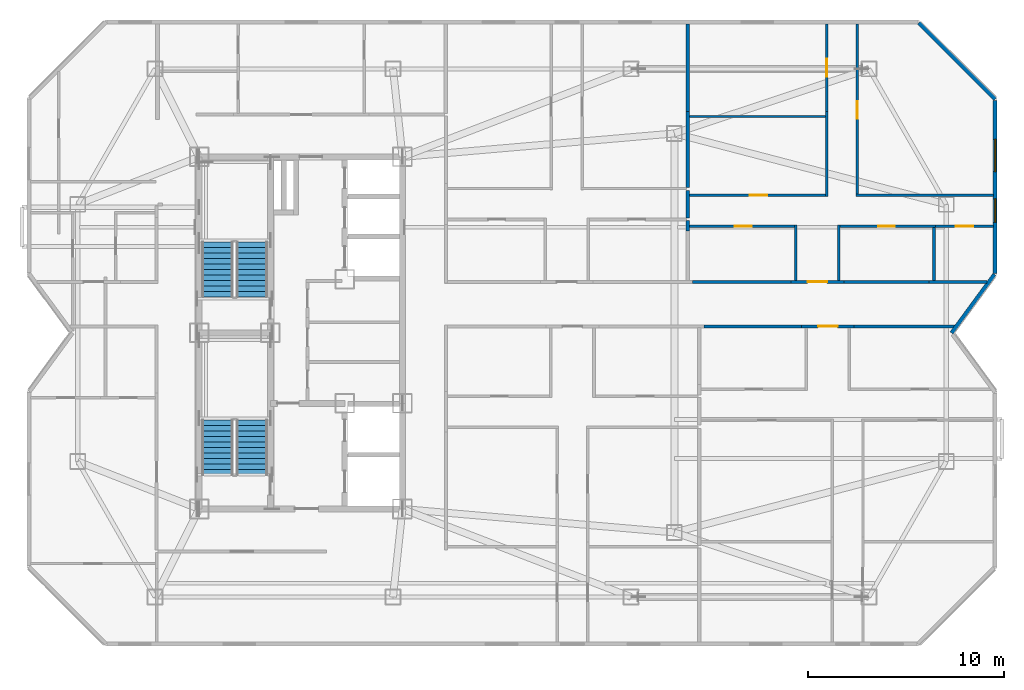
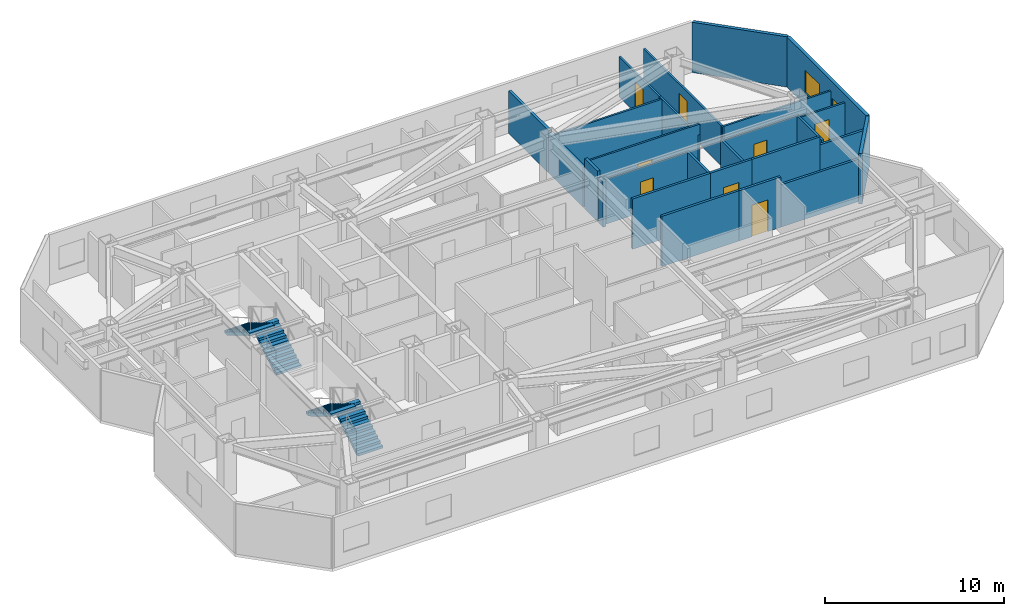
# One storey, part 8 of 10: 26 walls, 8 doors, 4 stair flights, 2 windows, 10 openings, 2 elements without a shape of their own.
"""IFC4 building model written with IfcOpenShell, lengths in metres."""

from ifc_helpers import new_model, si_unit, direction, frame, frame_2d, origin, place, context, subcontext, project, spatial, polyline, rectangle, outline, extrude, material, layer, layer_set, type_object, element, fill, aggregate, save


model = new_model("IFC4")

# Units and contexts
model_context = context("Model", 3, precision=1e-05, world=origin(), true_north=direction((0.0, 1.0)))
body_context = subcontext(model_context, "Body", "Model", "MODEL_VIEW")
ifc_project = project(units=[si_unit("LENGTHUNIT", "METRE"), si_unit("AREAUNIT", "SQUARE_METRE"), si_unit("VOLUMEUNIT", "CUBIC_METRE"), si_unit("PLANEANGLEUNIT", "RADIAN"), si_unit("MASSUNIT", "GRAM", prefix="KILO")], contexts=[model_context])

# Site, building, storey
site_placement = place(None, origin())
site = spatial("IfcSite", under=ifc_project, at=site_placement, CompositionType="ELEMENT")
building_placement = place(site_placement, origin())
building = spatial("IfcBuilding", under=site, at=building_placement, Name="Khamvora Tower", CompositionType="ELEMENT")
storey_placement = place(building_placement, frame((0.0, 0.0, 257.35009765625)))
storey = spatial("IfcBuildingStorey", under=building, at=storey_placement, Name="L66", CompositionType="ELEMENT", Elevation=257.35009765625)

# Wall, opening, door
ifc_material_1 = material(Name="Fire-Rated Drywall and Steel Stud", Category="steel")
ifc_layer_1 = layer(ifc_material_1, 0.14990234375)
ifc_layer_set_1 = layer_set([ifc_layer_1], Name="Fire-Rated Drywall and Steel Stud")
wall_type_1 = type_object("IfcWallType", Name="WAL-CORR-150", PredefinedType="STANDARD", material=ifc_layer_set_1)
wall_1_placement = place(storey_placement, frame((62.4951171875, 28.3349609375, 0.0), z_axis=(0.0, 0.0, 1.0), x_axis=(-1.0, 0.0, 0.0)))
wall_1 = element("IfcWall", 1, at=wall_1_placement, inside=storey, type_object=wall_type_1, Name="L66 interior partition wall 026", PredefinedType="STANDARD", context=body_context, shape_type="SweptSolid", body=[
    extrude(rectangle(XDim=2.69921875, YDim=0.14990234375, at=frame_2d((1.349609375, 0.0))), origin(), (0.0, 0.0, 1.0), 3.429931640625),
])
opening_1_placement = place(wall_1_placement, frame((0.84912109375, 0.0, 0.0)))
opening_1 = element("IfcOpeningElement", 2, at=opening_1_placement, cuts=wall_1, Name="Opening D-U1", PredefinedType="OPENING", context=body_context, shape_type="SweptSolid", body=[
    extrude(rectangle(XDim=1.0, YDim=2.14990234375, at=frame_2d((0.5, 1.074951171875))), frame((0.0, 0.0849609375, 0.0), z_axis=(0.0, -1.0, 0.0), x_axis=(1.0, 0.0, 0.0)), (0.0, 0.0, 1.0), 0.169921875),
])
ifc_material_2 = material(Name="Powder-Coated Steel and Hardwood Leaf", Category="steel")
door_type_1 = type_object("IfcDoorType", Name="DOR-UNIT-1000", OperationType="NOTDEFINED", PredefinedType="DOOR", material=ifc_material_2)
door_1_placement = place(opening_1_placement, origin())
door_1 = element("IfcDoor", 3, at=door_1_placement, inside=storey, type_object=door_type_1, Name="L66 interior door COR-66EA2H", OperationType="SINGLE_SWING_RIGHT", OverallHeight=2.14990234375, OverallWidth=1.0, PredefinedType="DOOR", context=body_context, shape_type="SweptSolid", body=[
    extrude(rectangle(XDim=1.0, YDim=2.14990234375, at=frame_2d((0.5, 1.074951171875))), frame((0.0, 0.02490234375, 0.0), z_axis=(0.0, -1.0, 0.0), x_axis=(1.0, 0.0, 0.0)), (0.0, 0.0, 1.0), 0.050048828125),
])
fill(opening_1, door_1)

# Walls
wall_2_placement = place(storey_placement, frame((59.7958984375, 28.3349609375, 0.0), z_axis=(0.0, 0.0, 1.0), x_axis=(-1.0, 0.0, 0.0)))
element("IfcWall", 4, at=wall_2_placement, inside=storey, type_object=wall_type_1, Name="L66 interior partition wall 027", PredefinedType="STANDARD", context=body_context, shape_type="SweptSolid", body=[
    extrude(rectangle(XDim=4.98193359375, YDim=0.14990234375, at=frame_2d((2.490966796875, 0.0))), origin(), (0.0, 0.0, 1.0), 3.429931640625),
])
wall_3_placement = place(storey_placement, frame((67.694091796875, 28.3349609375, 0.0), z_axis=(0.0, 0.0, 1.0), x_axis=(-1.0, 0.0, 0.0)))
element("IfcWall", 5, at=wall_3_placement, inside=storey, type_object=wall_type_1, Name="L66 interior partition wall 028", PredefinedType="STANDARD", context=body_context, shape_type="SweptSolid", body=[
    extrude(rectangle(XDim=5.198974609375, YDim=0.14990234375, at=frame_2d((2.599609375, 0.0))), origin(), (0.0, 0.0, 1.0), 2.886962890625),
])
wall_4_placement = place(storey_placement, frame((66.3291015625, 30.614990234375, 0.0), z_axis=(0.0, 0.0, 1.0), x_axis=(1.0, 0.0, 0.0)))
element("IfcWall", 6, at=wall_4_placement, inside=storey, type_object=wall_type_1, Name="L66 interior partition wall 035", PredefinedType="STANDARD", context=body_context, shape_type="SweptSolid", body=[
    extrude(rectangle(XDim=2.9609375, YDim=0.14990234375, at=frame_2d((1.48046875, 0.0))), origin(), (0.0, 0.0, 1.0), 2.886962890625),
])

# Wall, opening, door
wall_5_placement = place(storey_placement, frame((59.263916015625, 30.614990234375, 0.0), z_axis=(0.0, 0.0, 1.0), x_axis=(1.0, 0.0, 0.0)))
wall_5 = element("IfcWall", 7, at=wall_5_placement, inside=storey, type_object=wall_type_1, Name="L66 interior partition wall 036", PredefinedType="STANDARD", context=body_context, shape_type="SweptSolid", body=[
    extrude(rectangle(XDim=2.697998046875, YDim=0.14990234375, at=frame_2d((1.34912109375, 0.0))), origin(), (0.0, 0.0, 1.0), 3.429931640625),
])
opening_2_placement = place(wall_5_placement, frame((0.84912109375, 0.0, 0.0)))
opening_2 = element("IfcOpeningElement", 8, at=opening_2_placement, cuts=wall_5, Name="Opening D-U1", PredefinedType="OPENING", context=body_context, shape_type="SweptSolid", body=[
    extrude(rectangle(XDim=1.0, YDim=2.14990234375, at=frame_2d((0.5, 1.074951171875))), frame((0.0, 0.0849609375, 0.0), z_axis=(0.0, -1.0, 0.0), x_axis=(1.0, 0.0, 0.0)), (0.0, 0.0, 1.0), 0.169921875),
])
door_2_placement = place(opening_2_placement, origin())
door_2 = element("IfcDoor", 9, at=door_2_placement, inside=storey, type_object=door_type_1, Name="L66 interior door COR-66ECH", OperationType="SINGLE_SWING_RIGHT", OverallHeight=2.14990234375, OverallWidth=1.0, PredefinedType="DOOR", context=body_context, shape_type="SweptSolid", body=[
    extrude(rectangle(XDim=1.0, YDim=2.14990234375, at=frame_2d((0.5, 1.074951171875))), frame((0.0, 0.02490234375, 0.0), z_axis=(0.0, -1.0, 0.0), x_axis=(1.0, 0.0, 0.0)), (0.0, 0.0, 1.0), 0.050048828125),
])
fill(opening_2, door_2)

# Walls
wall_6_placement = place(storey_placement, frame((61.9619140625, 30.614990234375, 0.0), z_axis=(0.0, 0.0, 1.0), x_axis=(1.0, 0.0, 0.0)))
element("IfcWall", 10, at=wall_6_placement, inside=storey, type_object=wall_type_1, Name="L66 interior partition wall 037", PredefinedType="STANDARD", context=body_context, shape_type="SweptSolid", body=[
    extrude(rectangle(XDim=4.3671875, YDim=0.14990234375, at=frame_2d((2.18359375, 0.0))), origin(), (0.0, 0.0, 1.0), 3.429931640625),
])
wall_7_placement = place(storey_placement, frame((54.23388671875, 30.614990234375, 0.0), z_axis=(0.0, 0.0, 1.0), x_axis=(1.0, 0.0, 0.0)))
element("IfcWall", 11, at=wall_7_placement, inside=storey, type_object=wall_type_1, Name="L66 interior partition wall 038", PredefinedType="STANDARD", context=body_context, shape_type="SweptSolid", body=[
    extrude(rectangle(XDim=5.030029296875, YDim=0.14990234375, at=frame_2d((2.51513671875, 0.0))), origin(), (0.0, 0.0, 1.0), 3.429931640625),
])
ifc_material_3 = material(Name="Acoustic Double-Stud Fire Wall", Category="gypsum")
ifc_layer_2 = layer(ifc_material_3, 0.179931640625)
ifc_layer_set_2 = layer_set([ifc_layer_2], Name="Acoustic Double-Stud Fire Wall")
wall_type_2 = type_object("IfcWallType", Name="WAL-CORR-180", PredefinedType="STANDARD", material=ifc_layer_set_2)
wall_8_placement = place(storey_placement, frame((53.985107421875, 35.2919921875, 0.0), z_axis=(0.0, 0.0, 1.0), x_axis=(0.0, -1.0, 0.0)))
element("IfcWall", 12, at=wall_8_placement, inside=storey, type_object=wall_type_2, Name="L66 interior partition wall 096", PredefinedType="STANDARD", context=body_context, shape_type="SweptSolid", body=[
    extrude(rectangle(XDim=1.424072265625, YDim=0.179931640625, at=frame_2d((0.7119140625, 0.0))), origin(), (0.0, 0.0, 1.0), 3.429931640625),
])
wall_9_placement = place(storey_placement, frame((53.985107421875, 33.738037109375, 0.0), z_axis=(0.0, 0.0, 1.0), x_axis=(0.0, -1.0, 0.0)))
element("IfcWall", 13, at=wall_9_placement, inside=storey, type_object=wall_type_2, Name="L66 interior partition wall 097", PredefinedType="STANDARD", context=body_context, shape_type="SweptSolid", body=[
    extrude(rectangle(XDim=0.52392578125, YDim=0.179931640625, at=frame_2d((0.261962890625, 0.0))), origin(), (0.0, 0.0, 1.0), 3.06494140625),
])
wall_10_placement = place(storey_placement, frame((53.985107421875, 39.31298828125, 0.0), z_axis=(0.0, 0.0, 1.0), x_axis=(0.0, -1.0, 0.0)))
element("IfcWall", 14, at=wall_10_placement, inside=storey, type_object=wall_type_2, Name="L66 interior partition wall 099", PredefinedType="STANDARD", context=body_context, shape_type="SweptSolid", body=[
    extrude(rectangle(XDim=3.864990234375, YDim=0.179931640625, at=frame_2d((1.9326171875, 0.0))), origin(), (0.0, 0.0, 1.0), 2.724853515625),
])
wall_11_placement = place(storey_placement, frame((53.985107421875, 43.80810546875, 0.0), z_axis=(0.0, 0.0, 1.0), x_axis=(0.0, -1.0, 0.0)))
element("IfcWall", 15, at=wall_11_placement, inside=storey, type_object=wall_type_2, Name="L66 interior partition wall 100", PredefinedType="STANDARD", context=body_context, shape_type="SweptSolid", body=[
    extrude(rectangle(XDim=4.4951171875, YDim=0.179931640625, at=frame_2d((2.24755859375, 0.0))), origin(), (0.0, 0.0, 1.0), 2.886962890625),
])
ifc_material_4 = material(Name="Precast concrete C40/50", Category="concrete")
ifc_layer_3 = layer(ifc_material_4, 0.199951171875)
ifc_layer_set_3 = layer_set([ifc_layer_3], Name="Precast concrete C40/50")
wall_type_3 = type_object("IfcWallType", Name="WAL-EXT-200", PredefinedType="STANDARD", material=ifc_layer_set_3)
wall_12_placement = place(storey_placement, frame((65.802001953125, 43.85693359375, 0.0), z_axis=(0.0, 0.0, 1.0), x_axis=(0.707106781187, -0.707106781187, 0.0)))
element("IfcWall", 16, at=wall_12_placement, inside=storey, type_object=wall_type_3, Name="L66 exterior facade wall 08.1", PredefinedType="STANDARD", context=body_context, shape_type="SweptSolid", body=[
    extrude(rectangle(XDim=5.512451171875, YDim=0.199951171875, at=frame_2d((2.75634765625, 0.0))), origin(), (0.0, 0.0, 1.0), 3.429931640625),
])

# Wall, openings, windows
wall_13_placement = place(storey_placement, frame((69.699951171875, 39.89599609375, 0.0), z_axis=(0.0, 0.0, 1.0), x_axis=(0.0, -1.0, 0.0)))
wall_13 = element("IfcWall", 17, at=wall_13_placement, inside=storey, type_object=wall_type_3, Name="L66 exterior facade wall 09.1", PredefinedType="STANDARD", context=body_context, shape_type="SweptSolid", body=[
    extrude(rectangle(XDim=8.863037109375, YDim=0.199951171875, at=frame_2d((4.431640625, 0.0))), origin(), (0.0, 0.0, 1.0), 3.429931640625),
])
opening_3_placement = place(wall_13_placement, frame((5.04296875, 0.0, 0.800048828125)))
opening_3 = element("IfcOpeningElement", 18, at=opening_3_placement, cuts=wall_13, Name="Opening WN-03", PredefinedType="OPENING", context=body_context, shape_type="SweptSolid", body=[
    extrude(rectangle(XDim=1.199951171875, YDim=1.5, at=frame_2d((0.60009765625, 0.75))), frame((0.0, 0.10986328125, 0.0), z_axis=(0.0, -1.0, 0.0), x_axis=(1.0, 0.0, 0.0)), (0.0, 0.0, 1.0), 0.219970703125),
])
opening_4_placement = place(wall_13_placement, frame((1.993896484375, 0.0, 0.85009765625)))
opening_4 = element("IfcOpeningElement", 19, at=opening_4_placement, cuts=wall_13, Name="Opening WN-06", PredefinedType="OPENING", context=body_context, shape_type="SweptSolid", body=[
    extrude(rectangle(XDim=1.64990234375, YDim=1.550048828125, at=frame_2d((0.824951171875, 0.77490234375))), frame((0.0, 0.10986328125, 0.0), z_axis=(0.0, -1.0, 0.0), x_axis=(1.0, 0.0, 0.0)), (0.0, 0.0, 1.0), 0.219970703125),
])
ifc_material_5 = material(Name="Low-E Laminated Double Glazing", Category="glass")
window_type_1 = type_object("IfcWindowType", Name="WIN-VIS-1200x1500", PartitioningType="SINGLE_PANEL", PredefinedType="WINDOW", material=ifc_material_5)
window_1_placement = place(opening_3_placement, origin())
window_1 = element("IfcWindow", 20, at=window_1_placement, inside=storey, type_object=window_type_1, Name="L66 vision window 09.1.01", OverallHeight=1.5, OverallWidth=1.199951171875, PartitioningType="SINGLE_PANEL", PredefinedType="WINDOW", context=body_context, shape_type="SweptSolid", body=[
    extrude(rectangle(XDim=1.199951171875, YDim=1.5, at=frame_2d((0.60009765625, 0.75))), frame((0.0, 0.030029296875, 0.0), z_axis=(0.0, -1.0, 0.0), x_axis=(1.0, 0.0, 0.0)), (0.0, 0.0, 1.0), 0.06005859375),
])
fill(opening_3, window_1)
window_type_2 = type_object("IfcWindowType", Name="WIN-VIS-1650x1550", PartitioningType="SINGLE_PANEL", PredefinedType="WINDOW", material=ifc_material_5)
window_2_placement = place(opening_4_placement, origin())
window_2 = element("IfcWindow", 21, at=window_2_placement, inside=storey, type_object=window_type_2, Name="L66 vision window 09.1.02", OverallHeight=1.550048828125, OverallWidth=1.64990234375, PartitioningType="SINGLE_PANEL", PredefinedType="WINDOW", context=body_context, shape_type="SweptSolid", body=[
    extrude(rectangle(XDim=1.64990234375, YDim=1.550048828125, at=frame_2d((0.824951171875, 0.77490234375))), frame((0.0, 0.030029296875, 0.0), z_axis=(0.0, -1.0, 0.0), x_axis=(1.0, 0.0, 0.0)), (0.0, 0.0, 1.0), 0.06005859375),
])
fill(opening_4, window_2)

# Wall
wall_14_placement = place(storey_placement, frame((69.669921875, 30.991943359375, 0.0), z_axis=(0.0, 0.0, 1.0), x_axis=(-0.591320870733, -0.806436375566, 0.0)))
element("IfcWall", 22, at=wall_14_placement, inside=storey, type_object=wall_type_3, Name="L66 exterior facade wall 10.1", PredefinedType="STANDARD", context=body_context, shape_type="SweptSolid", body=[
    extrude(rectangle(XDim=3.7099609375, YDim=0.199951171875, at=frame_2d((1.85498046875, 0.0))), origin(), (0.0, 0.0, 1.0), 3.429931640625),
])

# Wall, opening, door
ifc_material_6 = material(Name="Gypsum Plasterboard Partition", Category="gypsum")
ifc_layer_4 = layer(ifc_material_6, 0.1201171875)
ifc_layer_set_4 = layer_set([ifc_layer_4], Name="Gypsum Plasterboard Partition")
wall_type_4 = type_object("IfcWallType", Name="WAL-PART-120", PredefinedType="PARTITIONING", material=ifc_layer_set_4)
wall_15_placement = place(storey_placement, frame((66.64306640625, 33.462890625, 0.0), z_axis=(0.0, 0.0, 1.0), x_axis=(1.0, 0.0, 0.0)))
wall_15 = element("IfcWall", 23, at=wall_15_placement, inside=storey, type_object=wall_type_4, Name="L66 interior partition wall 101", PredefinedType="PARTITIONING", context=body_context, shape_type="SweptSolid", body=[
    extrude(rectangle(XDim=2.96484375, YDim=0.1201171875, at=frame_2d((1.482421875, 0.0))), origin(), (0.0, 0.0, 1.0), 2.886962890625),
])
opening_5_placement = place(wall_15_placement, frame((1.031982421875, 0.0, 0.0)))
opening_5 = element("IfcOpeningElement", 24, at=opening_5_placement, cuts=wall_15, Name="Opening D-RM1", PredefinedType="OPENING", context=body_context, shape_type="SweptSolid", body=[
    extrude(rectangle(XDim=0.89990234375, YDim=2.10009765625, at=frame_2d((0.449951171875, 1.050048828125))), frame((0.0, 0.070068359375, 0.0), z_axis=(0.0, -1.0, 0.0), x_axis=(1.0, 0.0, 0.0)), (0.0, 0.0, 1.0), 0.14013671875),
])
door_type_2 = type_object("IfcDoorType", Name="DOR-ROOM-900", OperationType="NOTDEFINED", PredefinedType="DOOR", material=ifc_material_2)
door_3_placement = place(opening_5_placement, origin())
door_3 = element("IfcDoor", 25, at=door_3_placement, inside=storey, type_object=door_type_2, Name="L66 interior door 66ECW2-66ECH", OperationType="SINGLE_SWING_RIGHT", OverallHeight=2.10009765625, OverallWidth=0.89990234375, PredefinedType="DOOR", context=body_context, shape_type="SweptSolid", body=[
    extrude(rectangle(XDim=0.89990234375, YDim=2.10009765625, at=frame_2d((0.449951171875, 1.050048828125))), frame((0.0, 0.02490234375, 0.0), z_axis=(0.0, -1.0, 0.0), x_axis=(1.0, 0.0, 0.0)), (0.0, 0.0, 1.0), 0.050048828125),
])
fill(opening_5, door_3)

wall_16_placement = place(storey_placement, frame((54.06689453125, 35.04296875, 0.0), z_axis=(0.0, 0.0, 1.0), x_axis=(1.0, 0.0, 0.0)))
wall_16 = element("IfcWall", 26, at=wall_16_placement, inside=storey, type_object=wall_type_4, Name="L66 interior partition wall 107", PredefinedType="PARTITIONING", context=body_context, shape_type="SweptSolid", body=[
    extrude(rectangle(XDim=7.0830078125, YDim=0.1201171875, at=frame_2d((3.54150390625, 0.0))), origin(), (0.0, 0.0, 1.0), 3.429931640625),
])
opening_6_placement = place(wall_16_placement, frame((3.091064453125, 0.0, 0.0)))
opening_6 = element("IfcOpeningElement", 27, at=opening_6_placement, cuts=wall_16, Name="Opening D-RM1", PredefinedType="OPENING", context=body_context, shape_type="SweptSolid", body=[
    extrude(rectangle(XDim=0.89990234375, YDim=2.10009765625, at=frame_2d((0.449951171875, 1.050048828125))), frame((0.0, 0.070068359375, 0.0), z_axis=(0.0, -1.0, 0.0), x_axis=(1.0, 0.0, 0.0)), (0.0, 0.0, 1.0), 0.14013671875),
])
door_4_placement = place(opening_6_placement, origin())
door_4 = element("IfcDoor", 28, at=door_4_placement, inside=storey, type_object=door_type_2, Name="L66 interior door 66ECH-66ECL", OperationType="SINGLE_SWING_LEFT", OverallHeight=2.10009765625, OverallWidth=0.89990234375, PredefinedType="DOOR", context=body_context, shape_type="SweptSolid", body=[
    extrude(rectangle(XDim=0.89990234375, YDim=2.10009765625, at=frame_2d((0.449951171875, 1.050048828125))), frame((0.0, 0.02490234375, 0.0), z_axis=(0.0, -1.0, 0.0), x_axis=(1.0, 0.0, 0.0)), (0.0, 0.0, 1.0), 0.050048828125),
])
fill(opening_6, door_4)

# Wall
wall_17_placement = place(storey_placement, frame((61.0849609375, 34.97802734375, 0.0), z_axis=(0.0, 0.0, 1.0), x_axis=(0.0, 1.0, 0.0)))
element("IfcWall", 29, at=wall_17_placement, inside=storey, type_object=wall_type_4, Name="L66 interior partition wall 108", PredefinedType="PARTITIONING", context=body_context, shape_type="SweptSolid", body=[
    extrude(rectangle(XDim=4.3349609375, YDim=0.1201171875, at=frame_2d((2.16748046875, 0.0))), origin(), (0.0, 0.0, 1.0), 2.724853515625),
])

# Wall, opening, door
wall_18_placement = place(storey_placement, frame((61.0849609375, 39.31298828125, 0.0), z_axis=(0.0, 0.0, 1.0), x_axis=(0.0, 1.0, 0.0)))
wall_18 = element("IfcWall", 30, at=wall_18_placement, inside=storey, type_object=wall_type_4, Name="L66 interior partition wall 109", PredefinedType="PARTITIONING", context=body_context, shape_type="SweptSolid", body=[
    extrude(rectangle(XDim=4.4951171875, YDim=0.1201171875, at=frame_2d((2.24755859375, 0.0))), origin(), (0.0, 0.0, 1.0), 2.724853515625),
])
opening_7_placement = place(wall_18_placement, frame((1.798095703125, 0.0, 0.0)))
opening_7 = element("IfcOpeningElement", 31, at=opening_7_placement, cuts=wall_18, Name="Opening D-RM1", PredefinedType="OPENING", context=body_context, shape_type="SweptSolid", body=[
    extrude(rectangle(XDim=0.89990234375, YDim=2.10009765625, at=frame_2d((0.449951171875, 1.050048828125))), frame((0.0, 0.070068359375, 0.0), z_axis=(0.0, -1.0, 0.0), x_axis=(1.0, 0.0, 0.0)), (0.0, 0.0, 1.0), 0.14013671875),
])
door_5_placement = place(opening_7_placement, origin())
door_5 = element("IfcDoor", 32, at=door_5_placement, inside=storey, type_object=door_type_2, Name="L66 interior door 66ECH-66ECR2", OperationType="SINGLE_SWING_RIGHT", OverallHeight=2.10009765625, OverallWidth=0.89990234375, PredefinedType="DOOR", context=body_context, shape_type="SweptSolid", body=[
    extrude(rectangle(XDim=0.89990234375, YDim=2.10009765625, at=frame_2d((0.449951171875, 1.050048828125))), frame((0.0, 0.02490234375, 0.0), z_axis=(0.0, -1.0, 0.0), x_axis=(1.0, 0.0, 0.0)), (0.0, 0.0, 1.0), 0.050048828125),
])
fill(opening_7, door_5)

wall_19_placement = place(storey_placement, frame((62.655029296875, 43.80810546875, 0.0), z_axis=(0.0, 0.0, 1.0), x_axis=(0.0, -1.0, 0.0)))
wall_19 = element("IfcWall", 33, at=wall_19_placement, inside=storey, type_object=wall_type_4, Name="L66 interior partition wall 110", PredefinedType="PARTITIONING", context=body_context, shape_type="SweptSolid", body=[
    extrude(rectangle(XDim=8.830078125, YDim=0.1201171875, at=frame_2d((4.4150390625, 0.0))), origin(), (0.0, 0.0, 1.0), 2.724853515625),
])
opening_8_placement = place(wall_19_placement, frame((3.965087890625, 0.0, 0.0)))
opening_8 = element("IfcOpeningElement", 34, at=opening_8_placement, cuts=wall_19, Name="Opening D-RM1", PredefinedType="OPENING", context=body_context, shape_type="SweptSolid", body=[
    extrude(rectangle(XDim=0.89990234375, YDim=2.10009765625, at=frame_2d((0.449951171875, 1.050048828125))), frame((0.0, 0.070068359375, 0.0), z_axis=(0.0, -1.0, 0.0), x_axis=(1.0, 0.0, 0.0)), (0.0, 0.0, 1.0), 0.14013671875),
])
door_6_placement = place(opening_8_placement, origin())
door_6 = element("IfcDoor", 35, at=door_6_placement, inside=storey, type_object=door_type_2, Name="L66 interior door 66ECH-66ECR3", OperationType="SINGLE_SWING_LEFT", OverallHeight=2.10009765625, OverallWidth=0.89990234375, PredefinedType="DOOR", context=body_context, shape_type="SweptSolid", body=[
    extrude(rectangle(XDim=0.89990234375, YDim=2.10009765625, at=frame_2d((0.449951171875, 1.050048828125))), frame((0.0, 0.02490234375, 0.0), z_axis=(0.0, -1.0, 0.0), x_axis=(1.0, 0.0, 0.0)), (0.0, 0.0, 1.0), 0.050048828125),
])
fill(opening_8, door_6)

# Walls
wall_20_placement = place(storey_placement, frame((62.590087890625, 35.04296875, 0.0), z_axis=(0.0, 0.0, 1.0), x_axis=(1.0, 0.0, 0.0)))
element("IfcWall", 36, at=wall_20_placement, inside=storey, type_object=wall_type_4, Name="L66 interior partition wall 111", PredefinedType="PARTITIONING", context=body_context, shape_type="SweptSolid", body=[
    extrude(rectangle(XDim=7.017822265625, YDim=0.1201171875, at=frame_2d((3.5087890625, 0.0))), origin(), (0.0, 0.0, 1.0), 2.724853515625),
])
wall_21_placement = place(storey_placement, frame((54.06689453125, 39.06396484375, 0.0), z_axis=(0.0, 0.0, 1.0), x_axis=(1.0, 0.0, 0.0)))
element("IfcWall", 37, at=wall_21_placement, inside=storey, type_object=wall_type_4, Name="L66 interior partition wall 112", PredefinedType="PARTITIONING", context=body_context, shape_type="SweptSolid", body=[
    extrude(rectangle(XDim=6.964111328125, YDim=0.1201171875, at=frame_2d((3.48193359375, 0.0))), origin(), (0.0, 0.0, 1.0), 2.724853515625),
])
ifc_material_7 = material(Name="Moisture-Resistant Plasterboard Partition", Category="gypsum")
ifc_layer_5 = layer(ifc_material_7, 0.135009765625)
ifc_layer_set_5 = layer_set([ifc_layer_5], Name="Moisture-Resistant Plasterboard Partition")
wall_type_5 = type_object("IfcWallType", Name="WAL-WET-135", PredefinedType="PARTITIONING", material=ifc_layer_set_5)
wall_22_placement = place(storey_placement, frame((66.577880859375, 30.679931640625, 0.0), z_axis=(0.0, 0.0, 1.0), x_axis=(0.0, 1.0, 0.0)))
element("IfcWall", 38, at=wall_22_placement, inside=storey, type_object=wall_type_5, Name="L66 interior partition wall 102", PredefinedType="PARTITIONING", context=body_context, shape_type="SweptSolid", body=[
    extrude(rectangle(XDim=2.718017578125, YDim=0.135009765625, at=frame_2d((1.35888671875, 0.0))), origin(), (0.0, 0.0, 1.0), 3.06494140625),
])

# Wall, opening, door
wall_23_placement = place(storey_placement, frame((66.64306640625, 33.462890625, 0.0), z_axis=(0.0, 0.0, 1.0), x_axis=(-1.0, 0.0, 0.0)))
wall_23 = element("IfcWall", 39, at=wall_23_placement, inside=storey, type_object=wall_type_5, Name="L66 interior partition wall 103", PredefinedType="PARTITIONING", context=body_context, shape_type="SweptSolid", body=[
    extrude(rectangle(XDim=4.9951171875, YDim=0.135009765625, at=frame_2d((2.49755859375, 0.0))), origin(), (0.0, 0.0, 1.0), 3.06494140625),
])
opening_9_placement = place(wall_23_placement, frame((2.072998046875, 0.0, 0.0)))
opening_9 = element("IfcOpeningElement", 40, at=opening_9_placement, cuts=wall_23, Name="Opening D-WC1", PredefinedType="OPENING", context=body_context, shape_type="SweptSolid", body=[
    extrude(rectangle(XDim=0.85009765625, YDim=2.10009765625, at=frame_2d((0.425048828125, 1.050048828125))), frame((0.0, 0.077392578125, 0.0), z_axis=(0.0, -1.0, 0.0), x_axis=(1.0, 0.0, 0.0)), (0.0, 0.0, 1.0), 0.155029296875),
])
door_type_3 = type_object("IfcDoorType", Name="DOR-WET-850", OperationType="NOTDEFINED", PredefinedType="DOOR", material=ifc_material_2)
door_7_placement = place(opening_9_placement, origin())
door_7 = element("IfcDoor", 41, at=door_7_placement, inside=storey, type_object=door_type_3, Name="L66 interior door 66ECH-66ECB", OperationType="SINGLE_SWING_LEFT", OverallHeight=2.10009765625, OverallWidth=0.85009765625, PredefinedType="DOOR", context=body_context, shape_type="SweptSolid", body=[
    extrude(rectangle(XDim=0.85009765625, YDim=2.10009765625, at=frame_2d((0.425048828125, 1.050048828125))), frame((0.0, 0.02490234375, 0.0), z_axis=(0.0, -1.0, 0.0), x_axis=(1.0, 0.0, 0.0)), (0.0, 0.0, 1.0), 0.050048828125),
])
fill(opening_9, door_7)

# Walls
for number, where, z_axis, x_axis, name in (
    (42, (61.712890625, 33.528076171875, 0.0), (0.0, 0.0, 1.0), (0.0, -1.0, 0.0), "L66 interior partition wall 104"),
    (43, (59.512939453125, 30.679931640625, 0.0), (0.0, 0.0, 1.0), (0.0, 1.0, 0.0), "L66 interior partition wall 105"),
):
    element("IfcWall", number, at=place(storey_placement, frame(where, z_axis=z_axis, x_axis=x_axis)), inside=storey, type_object=wall_type_5, Name=name, PredefinedType="PARTITIONING", context=body_context, shape_type="SweptSolid", body=[
        extrude(rectangle(XDim=2.84814453125, YDim=0.135009765625, at=frame_2d((1.424072265625, 0.0))), origin(), (0.0, 0.0, 1.0), 3.06494140625),
    ])

# Wall, opening, door
wall_24_placement = place(storey_placement, frame((59.577880859375, 33.462890625, 0.0), z_axis=(0.0, 0.0, 1.0), x_axis=(-1.0, 0.0, 0.0)))
wall_24 = element("IfcWall", 44, at=wall_24_placement, inside=storey, type_object=wall_type_5, Name="L66 interior partition wall 106", PredefinedType="PARTITIONING", context=body_context, shape_type="SweptSolid", body=[
    extrude(rectangle(XDim=5.510986328125, YDim=0.135009765625, at=frame_2d((2.75537109375, 0.0))), origin(), (0.0, 0.0, 1.0), 3.06494140625),
])
opening_10_placement = place(wall_24_placement, frame((2.3310546875, 0.0, 0.0)))
opening_10 = element("IfcOpeningElement", 45, at=opening_10_placement, cuts=wall_24, Name="Opening D-RM2", PredefinedType="OPENING", context=body_context, shape_type="SweptSolid", body=[
    extrude(rectangle(XDim=0.85009765625, YDim=2.10009765625, at=frame_2d((0.425048828125, 1.050048828125))), frame((0.0, 0.077392578125, 0.0), z_axis=(0.0, -1.0, 0.0), x_axis=(1.0, 0.0, 0.0)), (0.0, 0.0, 1.0), 0.155029296875),
])
door_type_4 = type_object("IfcDoorType", Name="DOR-ROOM-850", OperationType="NOTDEFINED", PredefinedType="DOOR", material=ifc_material_2)
door_8_placement = place(opening_10_placement, origin())
door_8 = element("IfcDoor", 46, at=door_8_placement, inside=storey, type_object=door_type_4, Name="L66 interior door 66ECH-66ECK", OperationType="SINGLE_SWING_RIGHT", OverallHeight=2.10009765625, OverallWidth=0.85009765625, PredefinedType="DOOR", context=body_context, shape_type="SweptSolid", body=[
    extrude(rectangle(XDim=0.85009765625, YDim=2.10009765625, at=frame_2d((0.425048828125, 1.050048828125))), frame((0.0, 0.02490234375, 0.0), z_axis=(0.0, -1.0, 0.0), x_axis=(1.0, 0.0, 0.0)), (0.0, 0.0, 1.0), 0.050048828125),
])
fill(opening_10, door_8)

# Stair, stair flights
ifc_material_8 = material(Name="Concrete C40/50", Category="concrete")
stair_type_1 = type_object("IfcStairType", Name="STR-ST-01", PredefinedType="HALF_TURN_STAIR", material=ifc_material_8)
stair_1_placement = place(storey_placement, origin())
stair_1 = element("IfcStair", 47, at=stair_1_placement, inside=storey, type_object=stair_type_1, Name="L66 South Tower Exit Stair ST-01", PredefinedType="HALF_TURN_STAIR")
stair_flight_type_1 = type_object("IfcStairFlightType", Name="STF-ST-01", PredefinedType="STRAIGHT", material=ifc_material_8)
stair_flight_1_placement = place(storey_placement, frame((31.699951171875, 20.75, 0.0), z_axis=(0.0, 0.0, 1.0), x_axis=(0.0, 1.0, 0.0)))
stair_flight_1 = element("IfcStairFlight", 48, at=stair_flight_1_placement, type_object=stair_flight_type_1, Name="ST-01 flight 1", NumberOfRisers=11, NumberOfTreads=10, PredefinedType="STRAIGHT", RiserHeight=0.165909091, TreadLength=0.28, context=body_context, shape_type="SweptSolid", body=[
    extrude(outline(polyline([(0.0, 0.0), (0.0, 0.166015625), (0.280029296875, 0.166015625), (0.280029296875, 0.331787109375), (0.56005859375, 0.331787109375), (0.56005859375, 0.497802734375), (0.840087890625, 0.497802734375), (0.840087890625, 0.66357421875), (1.1201171875, 0.66357421875), (1.1201171875, 0.82958984375), (1.39990234375, 0.82958984375), (1.39990234375, 0.995361328125), (1.679931640625, 0.995361328125), (1.679931640625, 1.161376953125), (1.9599609375, 1.161376953125), (1.9599609375, 1.327392578125), (2.239990234375, 1.327392578125), (2.239990234375, 1.4931640625), (2.52001953125, 1.4931640625), (2.52001953125, 1.6591796875), (2.800048828125, 1.6591796875), (2.800048828125, 1.824951171875), (2.800048828125, 1.48486328125), (0.2939453125, 0.0), (0.0, 0.0)])), frame((0.0, 0.800048828125, 0.0), z_axis=(0.0, -1.0, 0.0), x_axis=(1.0, 0.0, 0.0)), (0.0, 0.0, 1.0), 1.60009765625),
])
stair_flight_2_placement = place(storey_placement, frame((29.949951171875, 23.550048828125, 1.824951171875), z_axis=(0.0, 0.0, 1.0), x_axis=(0.0, -1.0, 0.0)))
stair_flight_2 = element("IfcStairFlight", 49, at=stair_flight_2_placement, type_object=stair_flight_type_1, Name="ST-01 flight 2", NumberOfRisers=11, NumberOfTreads=10, PredefinedType="STRAIGHT", RiserHeight=0.165909091, TreadLength=0.28, context=body_context, shape_type="SweptSolid", body=[
    extrude(outline(polyline([(0.0, 0.0), (0.0, 0.166015625), (0.280029296875, 0.166015625), (0.280029296875, 0.331787109375), (0.56005859375, 0.331787109375), (0.56005859375, 0.497802734375), (0.840087890625, 0.497802734375), (0.840087890625, 0.66357421875), (1.1201171875, 0.66357421875), (1.1201171875, 0.82958984375), (1.39990234375, 0.82958984375), (1.39990234375, 0.995361328125), (1.679931640625, 0.995361328125), (1.679931640625, 1.161376953125), (1.9599609375, 1.161376953125), (1.9599609375, 1.327392578125), (2.239990234375, 1.327392578125), (2.239990234375, 1.4931640625), (2.52001953125, 1.4931640625), (2.52001953125, 1.6591796875), (2.800048828125, 1.6591796875), (2.800048828125, 1.824951171875), (2.800048828125, 1.48486328125), (0.2939453125, 0.0), (0.0, 0.0)])), frame((0.0, 0.800048828125, 0.0), z_axis=(0.0, -1.0, 0.0), x_axis=(1.0, 0.0, 0.0)), (0.0, 0.0, 1.0), 1.60009765625),
])
aggregate(stair_1, [stair_flight_1, stair_flight_2])

stair_type_2 = type_object("IfcStairType", Name="STR-ST-02", PredefinedType="HALF_TURN_STAIR", material=ifc_material_8)
stair_2_placement = place(storey_placement, origin())
stair_2 = element("IfcStair", 50, at=stair_2_placement, inside=storey, type_object=stair_type_2, Name="L66 North Tower Exit Stair ST-02", PredefinedType="HALF_TURN_STAIR")
stair_flight_type_2 = type_object("IfcStairFlightType", Name="STF-ST-02", PredefinedType="STRAIGHT", material=ifc_material_8)
stair_flight_3_placement = place(storey_placement, frame((31.699951171875, 29.85009765625, 0.0), z_axis=(0.0, 0.0, 1.0), x_axis=(0.0, 1.0, 0.0)))
stair_flight_3 = element("IfcStairFlight", 51, at=stair_flight_3_placement, type_object=stair_flight_type_2, Name="ST-02 flight 1", NumberOfRisers=11, NumberOfTreads=10, PredefinedType="STRAIGHT", RiserHeight=0.165909091, TreadLength=0.28, context=body_context, shape_type="SweptSolid", body=[
    extrude(outline(polyline([(0.0, 0.0), (0.0, 0.166015625), (0.280029296875, 0.166015625), (0.280029296875, 0.331787109375), (0.56005859375, 0.331787109375), (0.56005859375, 0.497802734375), (0.840087890625, 0.497802734375), (0.840087890625, 0.66357421875), (1.1201171875, 0.66357421875), (1.1201171875, 0.82958984375), (1.39990234375, 0.82958984375), (1.39990234375, 0.995361328125), (1.679931640625, 0.995361328125), (1.679931640625, 1.161376953125), (1.9599609375, 1.161376953125), (1.9599609375, 1.327392578125), (2.239990234375, 1.327392578125), (2.239990234375, 1.4931640625), (2.52001953125, 1.4931640625), (2.52001953125, 1.6591796875), (2.800048828125, 1.6591796875), (2.800048828125, 1.824951171875), (2.800048828125, 1.48486328125), (0.2939453125, 0.0), (0.0, 0.0)])), frame((0.0, 0.800048828125, 0.0), z_axis=(0.0, -1.0, 0.0), x_axis=(1.0, 0.0, 0.0)), (0.0, 0.0, 1.0), 1.60009765625),
])
stair_flight_4_placement = place(storey_placement, frame((29.949951171875, 32.64990234375, 1.824951171875), z_axis=(0.0, 0.0, 1.0), x_axis=(0.0, -1.0, 0.0)))
stair_flight_4 = element("IfcStairFlight", 52, at=stair_flight_4_placement, type_object=stair_flight_type_2, Name="ST-02 flight 2", NumberOfRisers=11, NumberOfTreads=10, PredefinedType="STRAIGHT", RiserHeight=0.165909091, TreadLength=0.28, context=body_context, shape_type="SweptSolid", body=[
    extrude(outline(polyline([(0.0, 0.0), (0.0, 0.166015625), (0.280029296875, 0.166015625), (0.280029296875, 0.331787109375), (0.56005859375, 0.331787109375), (0.56005859375, 0.497802734375), (0.840087890625, 0.497802734375), (0.840087890625, 0.66357421875), (1.1201171875, 0.66357421875), (1.1201171875, 0.82958984375), (1.39990234375, 0.82958984375), (1.39990234375, 0.995361328125), (1.679931640625, 0.995361328125), (1.679931640625, 1.161376953125), (1.9599609375, 1.161376953125), (1.9599609375, 1.327392578125), (2.239990234375, 1.327392578125), (2.239990234375, 1.4931640625), (2.52001953125, 1.4931640625), (2.52001953125, 1.6591796875), (2.800048828125, 1.6591796875), (2.800048828125, 1.824951171875), (2.800048828125, 1.48486328125), (0.2939453125, 0.0), (0.0, 0.0)])), frame((0.0, 0.800048828125, 0.0), z_axis=(0.0, -1.0, 0.0), x_axis=(1.0, 0.0, 0.0)), (0.0, 0.0, 1.0), 1.60009765625),
])
aggregate(stair_2, [stair_flight_3, stair_flight_4])

save(model, "model.ifc")
